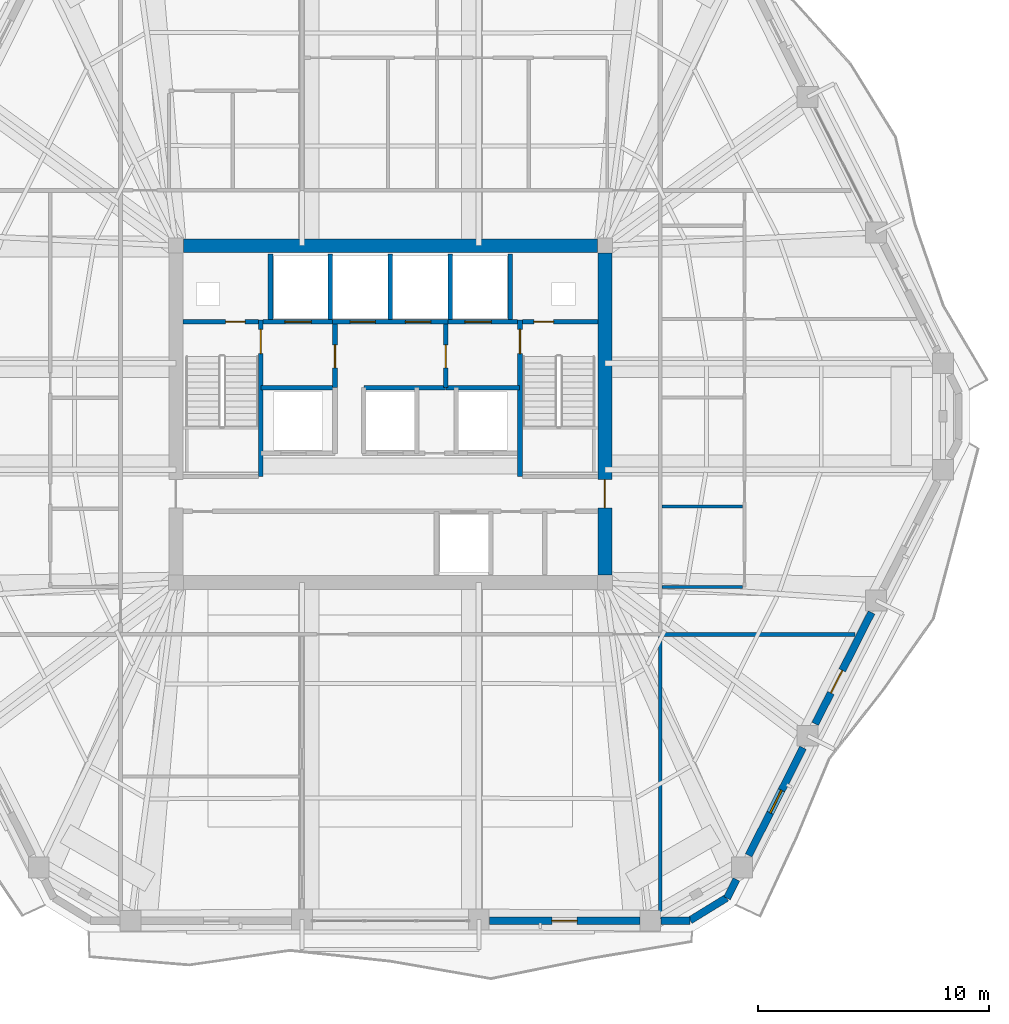
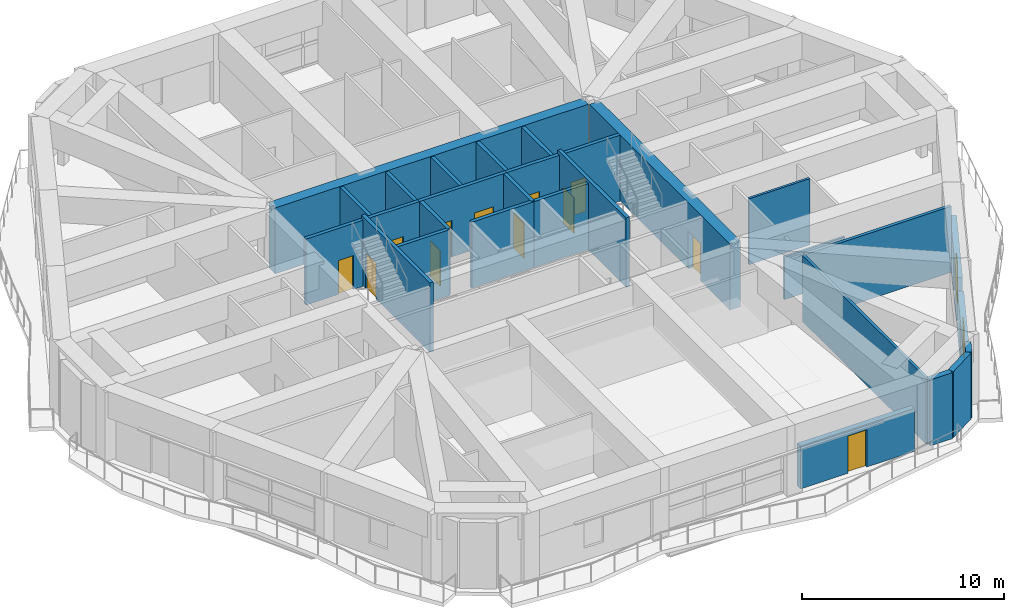
# One storey, part 14 of 20: 29 walls, 13 doors, 1 window, 14 openings.
"""IFC4 building model written with IfcOpenShell, lengths in metres."""

from ifc_helpers import new_model, si_unit, direction, frame, frame_2d, origin, place, context, subcontext, project, spatial, rectangle, extrude, material, layer, layer_set, type_object, element, fill, save


model = new_model("IFC4")

# Units and contexts
model_context = context("Model", 3, precision=1e-05, world=origin(), true_north=direction((0.0, 1.0)))
body_context = subcontext(model_context, "Body", "Model", "MODEL_VIEW")
ifc_project = project(units=[si_unit("LENGTHUNIT", "METRE"), si_unit("AREAUNIT", "SQUARE_METRE"), si_unit("VOLUMEUNIT", "CUBIC_METRE"), si_unit("PLANEANGLEUNIT", "RADIAN"), si_unit("MASSUNIT", "GRAM", prefix="KILO")], contexts=[model_context])

# Site, building, storey
site_placement = place(None, origin())
site = spatial("IfcSite", under=ifc_project, at=site_placement, CompositionType="ELEMENT")
building_placement = place(site_placement, origin())
building = spatial("IfcBuilding", under=site, at=building_placement, Name="Cinnabar Lancet Tower", CompositionType="ELEMENT")
storey_placement = place(building_placement, frame((0.0, 0.0, 167.699951171875)))
storey = spatial("IfcBuildingStorey", under=building, at=storey_placement, Name="L44", CompositionType="ELEMENT", Elevation=167.699951171875)

# Walls
ifc_material_1 = material(Name="Acoustic twin-stud gypsum partition", Category="gypsum")
ifc_layer_1 = layer(ifc_material_1, 0.159912109375)
ifc_layer_set_1 = layer_set([ifc_layer_1], Name="Acoustic twin-stud gypsum partition")
wall_type_1 = type_object("IfcWallType", Name="ARC-WL-CORR-160", PredefinedType="PARTITIONING", material=ifc_layer_set_1)
wall_1_placement = place(storey_placement, frame((44.10009765625, 4.014892578125, 0.0), z_axis=(0.0, 0.0, 1.0), x_axis=(0.0, 1.0, 0.0)))
element("IfcWall", 1, at=wall_1_placement, inside=storey, type_object=wall_type_1, Name="PW-L44-SLWCE", PredefinedType="PARTITIONING", context=body_context, shape_type="SweptSolid", body=[
    extrude(rectangle(XDim=12.25, YDim=0.159912109375, at=frame_2d((6.125, 0.0))), origin(), (0.0, 0.0, 1.0), 4.0),
])
ifc_material_2 = material(Name="Fire-rated twin-frame acoustic drywall", Category="gypsum")
ifc_layer_2 = layer(ifc_material_2, 0.179931640625)
ifc_layer_set_2 = layer_set([ifc_layer_2], Name="Fire-rated twin-frame acoustic drywall")
wall_type_2 = type_object("IfcWallType", Name="ARC-WL-PARTY-180", PredefinedType="PARTITIONING", material=ifc_layer_set_2)
wall_2_placement = place(storey_placement, frame((44.18505859375, 16.35009765625, 0.0), z_axis=(0.0, 0.0, 1.0), x_axis=(1.0, 0.0, 0.0)))
element("IfcWall", 2, at=wall_2_placement, inside=storey, type_object=wall_type_2, Name="PW-L44-ESB", PredefinedType="PARTITIONING", context=body_context, shape_type="SweptSolid", body=[
    extrude(rectangle(XDim=8.364990234375, YDim=0.179931640625, at=frame_2d((4.1826171875, 0.0))), origin(), (0.0, 0.0, 1.0), 4.0),
])

# Wall, opening, door
ifc_material_3 = material(Name="Autoclaved aerated concrete blockwork", Category="masonry")
ifc_layer_3 = layer(ifc_material_3, 0.199951171875)
ifc_layer_set_3 = layer_set([ifc_layer_3], Name="Autoclaved aerated concrete blockwork")
wall_type_3 = type_object("IfcWallType", Name="ARC-WL-SHAFT-200", PredefinedType="PLUMBINGWALL", material=ifc_layer_set_3)
wall_3_placement = place(storey_placement, frame((23.405029296875, 29.89990234375, 0.0), z_axis=(0.0, 0.0, 1.0), x_axis=(1.0, 0.0, 0.0)))
wall_3 = element("IfcWall", 3, at=wall_3_placement, inside=storey, type_object=wall_type_3, Name="CW-NSH-W-L44", PredefinedType="PLUMBINGWALL", context=body_context, shape_type="SweptSolid", body=[
    extrude(rectangle(XDim=3.27001953125, YDim=0.199951171875, at=frame_2d((1.635009765625, 0.0))), origin(), (0.0, 0.0, 1.0), 4.0),
])
opening_1_placement = place(wall_3_placement, frame((1.85009765625, 0.0, 0.0)))
opening_1 = element("IfcOpeningElement", 4, at=opening_1_placement, cuts=wall_3, Name="Opening PD-02", PredefinedType="OPENING", context=body_context, shape_type="SweptSolid", body=[
    extrude(rectangle(XDim=0.85009765625, YDim=2.050048828125, at=frame_2d((0.425048828125, 1.02490234375))), frame((0.0, 0.10986328125, 0.0), z_axis=(0.0, -1.0, 0.0), x_axis=(1.0, 0.0, 0.0)), (0.0, 0.0, 1.0), 0.219970703125),
])
ifc_material_4 = material(Name="Fire-rated steel riser access door", Category="steel")
door_type_1 = type_object("IfcDoorType", Name="ARC-DR-RISER", OperationType="NOTDEFINED", PredefinedType="DOOR", material=ifc_material_4)
door_1_placement = place(opening_1_placement, origin())
door_1 = element("IfcDoor", 5, at=door_1_placement, inside=storey, type_object=door_type_1, Name="L44 West Riser Access Door", OperationType="SINGLE_SWING_LEFT", OverallHeight=2.050048828125, OverallWidth=0.85009765625, PredefinedType="DOOR", context=body_context, shape_type="SweptSolid", body=[
    extrude(rectangle(XDim=0.85009765625, YDim=2.050048828125, at=frame_2d((0.425048828125, 1.02490234375))), frame((0.0, 0.02490234375, 0.0), z_axis=(0.0, -1.0, 0.0), x_axis=(1.0, 0.0, 0.0)), (0.0, 0.0, 1.0), 0.050048828125),
])
fill(opening_1, door_1)

wall_4_placement = place(storey_placement, frame((26.885009765625, 29.89990234375, 0.0), z_axis=(0.0, 0.0, 1.0), x_axis=(1.0, 0.0, 0.0)))
wall_4 = element("IfcWall", 6, at=wall_4_placement, inside=storey, type_object=wall_type_3, Name="CW-FL1-L44", PredefinedType="PLUMBINGWALL", context=body_context, shape_type="SweptSolid", body=[
    extrude(rectangle(XDim=3.014892578125, YDim=0.199951171875, at=frame_2d((1.50732421875, 0.0))), origin(), (0.0, 0.0, 1.0), 4.0),
])
opening_2_placement = place(wall_4_placement, frame((0.93994140625, 0.0, 0.0)))
opening_2 = element("IfcOpeningElement", 7, at=opening_2_placement, cuts=wall_4, Name="Opening LD-02", PredefinedType="OPENING", context=body_context, shape_type="SweptSolid", body=[
    extrude(rectangle(XDim=1.14990234375, YDim=2.199951171875, at=frame_2d((0.574951171875, 1.10009765625))), frame((0.0, 0.10986328125, 0.0), z_axis=(0.0, -1.0, 0.0), x_axis=(1.0, 0.0, 0.0)), (0.0, 0.0, 1.0), 0.219970703125),
])
ifc_material_5 = material(Name="Fire-rated stainless steel firefighting lift landing door", Category="steel")
door_type_2 = type_object("IfcDoorType", Name="ARC-DR-LD-FIRE", OperationType="NOTDEFINED", PredefinedType="DOOR", material=ifc_material_5)
door_2_placement = place(opening_2_placement, origin())
door_2 = element("IfcDoor", 8, at=door_2_placement, inside=storey, type_object=door_type_2, Name="L44 Firefighting Lift FL-1 Landing Door", OperationType="DOUBLE_DOOR_SLIDING", OverallHeight=2.199951171875, OverallWidth=1.14990234375, PredefinedType="DOOR", context=body_context, shape_type="SweptSolid", body=[
    extrude(rectangle(XDim=1.14990234375, YDim=2.199951171875, at=frame_2d((0.574951171875, 1.10009765625))), frame((0.0, 0.02490234375, 0.0), z_axis=(0.0, -1.0, 0.0), x_axis=(1.0, 0.0, 0.0)), (0.0, 0.0, 1.0), 0.050048828125),
])
fill(opening_2, door_2)

# Wall, openings, doors
wall_5_placement = place(storey_placement, frame((29.89990234375, 29.89990234375, 0.0), z_axis=(0.0, 0.0, 1.0), x_axis=(1.0, 0.0, 0.0)))
wall_5 = element("IfcWall", 9, at=wall_5_placement, inside=storey, type_object=wall_type_3, Name="CW-PL78-L44", PredefinedType="PLUMBINGWALL", context=body_context, shape_type="SweptSolid", body=[
    extrude(rectangle(XDim=5.0, YDim=0.199951171875, at=frame_2d((2.5, 0.0))), origin(), (0.0, 0.0, 1.0), 4.0),
])
opening_3_placement = place(wall_5_placement, frame((0.75, 0.0, 0.0)))
opening_3 = element("IfcOpeningElement", 10, at=opening_3_placement, cuts=wall_5, Name="Opening LD-01", PredefinedType="OPENING", context=body_context, shape_type="SweptSolid", body=[
    extrude(rectangle(XDim=1.10009765625, YDim=2.199951171875, at=frame_2d((0.550048828125, 1.10009765625))), frame((0.0, 0.10986328125, 0.0), z_axis=(0.0, -1.0, 0.0), x_axis=(1.0, 0.0, 0.0)), (0.0, 0.0, 1.0), 0.219970703125),
])
opening_4_placement = place(wall_5_placement, frame((3.14990234375, 0.0, 0.0)))
opening_4 = element("IfcOpeningElement", 11, at=opening_4_placement, cuts=wall_5, Name="Opening LD-01", PredefinedType="OPENING", context=body_context, shape_type="SweptSolid", body=[
    extrude(rectangle(XDim=1.10009765625, YDim=2.199951171875, at=frame_2d((0.550048828125, 1.10009765625))), frame((0.0, 0.10986328125, 0.0), z_axis=(0.0, -1.0, 0.0), x_axis=(1.0, 0.0, 0.0)), (0.0, 0.0, 1.0), 0.219970703125),
])
ifc_material_6 = material(Name="Brushed stainless steel sliding lift door", Category="steel")
door_type_3 = type_object("IfcDoorType", Name="ARC-DR-LD-PASS", OperationType="NOTDEFINED", PredefinedType="DOOR", material=ifc_material_6)
door_3_placement = place(opening_3_placement, origin())
door_3 = element("IfcDoor", 12, at=door_3_placement, inside=storey, type_object=door_type_3, Name="L44 Lift PL-7 Landing Door", OperationType="DOUBLE_DOOR_SLIDING", OverallHeight=2.199951171875, OverallWidth=1.10009765625, PredefinedType="DOOR", context=body_context, shape_type="SweptSolid", body=[
    extrude(rectangle(XDim=1.10009765625, YDim=2.199951171875, at=frame_2d((0.550048828125, 1.10009765625))), frame((0.0, 0.02490234375, 0.0), z_axis=(0.0, -1.0, 0.0), x_axis=(1.0, 0.0, 0.0)), (0.0, 0.0, 1.0), 0.050048828125),
])
fill(opening_3, door_3)
door_4_placement = place(opening_4_placement, origin())
door_4 = element("IfcDoor", 13, at=door_4_placement, inside=storey, type_object=door_type_3, Name="L44 Lift PL-8 Landing Door", OperationType="DOUBLE_DOOR_SLIDING", OverallHeight=2.199951171875, OverallWidth=1.10009765625, PredefinedType="DOOR", context=body_context, shape_type="SweptSolid", body=[
    extrude(rectangle(XDim=1.10009765625, YDim=2.199951171875, at=frame_2d((0.550048828125, 1.10009765625))), frame((0.0, 0.02490234375, 0.0), z_axis=(0.0, -1.0, 0.0), x_axis=(1.0, 0.0, 0.0)), (0.0, 0.0, 1.0), 0.050048828125),
])
fill(opening_4, door_4)

# Wall, opening, door
wall_6_placement = place(storey_placement, frame((34.89990234375, 29.89990234375, 0.0), z_axis=(0.0, 0.0, 1.0), x_axis=(1.0, 0.0, 0.0)))
wall_6 = element("IfcWall", 14, at=wall_6_placement, inside=storey, type_object=wall_type_3, Name="CW-FL2-L44", PredefinedType="PLUMBINGWALL", context=body_context, shape_type="SweptSolid", body=[
    extrude(rectangle(XDim=3.01513671875, YDim=0.199951171875, at=frame_2d((1.507568359375, 0.0))), origin(), (0.0, 0.0, 1.0), 4.0),
])
opening_5_placement = place(wall_6_placement, frame((0.72509765625, 0.0, 0.0)))
opening_5 = element("IfcOpeningElement", 15, at=opening_5_placement, cuts=wall_6, Name="Opening LD-02", PredefinedType="OPENING", context=body_context, shape_type="SweptSolid", body=[
    extrude(rectangle(XDim=1.14990234375, YDim=2.199951171875, at=frame_2d((0.574951171875, 1.10009765625))), frame((0.0, 0.10986328125, 0.0), z_axis=(0.0, -1.0, 0.0), x_axis=(1.0, 0.0, 0.0)), (0.0, 0.0, 1.0), 0.219970703125),
])
door_5_placement = place(opening_5_placement, origin())
door_5 = element("IfcDoor", 16, at=door_5_placement, inside=storey, type_object=door_type_2, Name="L44 Firefighting Lift FL-2 Landing Door", OperationType="DOUBLE_DOOR_SLIDING", OverallHeight=2.199951171875, OverallWidth=1.14990234375, PredefinedType="DOOR", context=body_context, shape_type="SweptSolid", body=[
    extrude(rectangle(XDim=1.14990234375, YDim=2.199951171875, at=frame_2d((0.574951171875, 1.10009765625))), frame((0.0, 0.02490234375, 0.0), z_axis=(0.0, -1.0, 0.0), x_axis=(1.0, 0.0, 0.0)), (0.0, 0.0, 1.0), 0.050048828125),
])
fill(opening_5, door_5)

wall_7_placement = place(storey_placement, frame((38.125, 29.89990234375, 0.0), z_axis=(0.0, 0.0, 1.0), x_axis=(1.0, 0.0, 0.0)))
wall_7 = element("IfcWall", 17, at=wall_7_placement, inside=storey, type_object=wall_type_3, Name="CW-NSH-E-L44", PredefinedType="PLUMBINGWALL", context=body_context, shape_type="SweptSolid", body=[
    extrude(rectangle(XDim=3.27001953125, YDim=0.199951171875, at=frame_2d((1.635009765625, 0.0))), origin(), (0.0, 0.0, 1.0), 4.0),
])
opening_6_placement = place(wall_7_placement, frame((0.5, 0.0, 0.0)))
opening_6 = element("IfcOpeningElement", 18, at=opening_6_placement, cuts=wall_7, Name="Opening PD-02", PredefinedType="OPENING", context=body_context, shape_type="SweptSolid", body=[
    extrude(rectangle(XDim=0.85009765625, YDim=2.050048828125, at=frame_2d((0.425048828125, 1.02490234375))), frame((0.0, 0.10986328125, 0.0), z_axis=(0.0, -1.0, 0.0), x_axis=(1.0, 0.0, 0.0)), (0.0, 0.0, 1.0), 0.219970703125),
])
door_6_placement = place(opening_6_placement, origin())
door_6 = element("IfcDoor", 19, at=door_6_placement, inside=storey, type_object=door_type_1, Name="L44 East Riser Access Door", OperationType="SINGLE_SWING_RIGHT", OverallHeight=2.050048828125, OverallWidth=0.85009765625, PredefinedType="DOOR", context=body_context, shape_type="SweptSolid", body=[
    extrude(rectangle(XDim=0.85009765625, YDim=2.050048828125, at=frame_2d((0.425048828125, 1.02490234375))), frame((0.0, 0.02490234375, 0.0), z_axis=(0.0, -1.0, 0.0), x_axis=(1.0, 0.0, 0.0)), (0.0, 0.0, 1.0), 0.050048828125),
])
fill(opening_6, door_6)

# Walls
for number, where, z_axis, x_axis, name in (
    (20, (27.199951171875, 30.0, 0.0), (0.0, 0.0, 1.0), (0.0, 1.0, 0.0), "CW-NSH-D1-L44"),
    (21, (29.800048828125, 30.0, 0.0), (0.0, 0.0, 1.0), (0.0, 1.0, 0.0), "CW-NSH-D2-L44"),
    (22, (32.39990234375, 30.0, 0.0), (0.0, 0.0, 1.0), (0.0, 1.0, 0.0), "CW-NSH-D3-L44"),
    (23, (35.0, 30.0, 0.0), (0.0, 0.0, 1.0), (0.0, 1.0, 0.0), "CW-NSH-D4-L44"),
    (24, (37.60009765625, 30.0, 0.0), (0.0, 0.0, 1.0), (0.0, 1.0, 0.0), "CW-NSH-D5-L44"),
):
    element("IfcWall", number, at=place(storey_placement, frame(where, z_axis=z_axis, x_axis=x_axis)), inside=storey, type_object=wall_type_3, Name=name, PredefinedType="PLUMBINGWALL", context=body_context, shape_type="SweptSolid", body=[
        extrude(rectangle(XDim=2.85009765625, YDim=0.199951171875, at=frame_2d((1.425048828125, 0.0))), origin(), (0.0, 0.0, 1.0), 4.0),
    ])

# Wall, opening, door
wall_8_placement = place(storey_placement, frame((30.0, 27.050048828125, 0.0), z_axis=(0.0, 0.0, 1.0), x_axis=(0.0, 1.0, 0.0)))
wall_8 = element("IfcWall", 25, at=wall_8_placement, inside=storey, type_object=wall_type_3, Name="CW-FF1E-L44", PredefinedType="PLUMBINGWALL", context=body_context, shape_type="SweptSolid", body=[
    extrude(rectangle(XDim=2.75, YDim=0.199951171875, at=frame_2d((1.375, 0.0))), origin(), (0.0, 0.0, 1.0), 4.0),
])
opening_7_placement = place(wall_8_placement, frame((0.85009765625, 0.0, 0.0)))
opening_7 = element("IfcOpeningElement", 26, at=opening_7_placement, cuts=wall_8, Name="Opening FD-01", PredefinedType="OPENING", context=body_context, shape_type="SweptSolid", body=[
    extrude(rectangle(XDim=1.0, YDim=2.14990234375, at=frame_2d((0.5, 1.074951171875))), frame((0.0, 0.10986328125, 0.0), z_axis=(0.0, -1.0, 0.0), x_axis=(1.0, 0.0, 0.0)), (0.0, 0.0, 1.0), 0.219970703125),
])
ifc_material_7 = material(Name="Fire-rated timber-core lobby door", Category="wood")
door_type_4 = type_object("IfcDoorType", Name="ARC-DR-FFAL", OperationType="NOTDEFINED", PredefinedType="DOOR", material=ifc_material_7)
door_7_placement = place(opening_7_placement, origin())
door_7 = element("IfcDoor", 27, at=door_7_placement, inside=storey, type_object=door_type_4, Name="L44 FFAL-1 Lobby Fire Door", OperationType="SINGLE_SWING_RIGHT", OverallHeight=2.14990234375, OverallWidth=1.0, PredefinedType="DOOR", context=body_context, shape_type="SweptSolid", body=[
    extrude(rectangle(XDim=1.0, YDim=2.14990234375, at=frame_2d((0.5, 1.074951171875))), frame((0.0, 0.02490234375, 0.0), z_axis=(0.0, -1.0, 0.0), x_axis=(1.0, 0.0, 0.0)), (0.0, 0.0, 1.0), 0.050048828125),
])
fill(opening_7, door_7)

# Wall
wall_9_placement = place(storey_placement, frame((26.800048828125, 27.050048828125, 0.0), z_axis=(0.0, 0.0, 1.0), x_axis=(1.0, 0.0, 0.0)))
element("IfcWall", 28, at=wall_9_placement, inside=storey, type_object=wall_type_3, Name="CW-FF1S-L44", PredefinedType="PLUMBINGWALL", context=body_context, shape_type="SweptSolid", body=[
    extrude(rectangle(XDim=3.199951171875, YDim=0.199951171875, at=frame_2d((1.60009765625, 0.0))), origin(), (0.0, 0.0, 1.0), 4.0),
])

# Wall, opening, door
wall_10_placement = place(storey_placement, frame((34.800048828125, 27.050048828125, 0.0), z_axis=(0.0, 0.0, 1.0), x_axis=(0.0, 1.0, 0.0)))
wall_10 = element("IfcWall", 29, at=wall_10_placement, inside=storey, type_object=wall_type_3, Name="CW-FF2W-L44", PredefinedType="PLUMBINGWALL", context=body_context, shape_type="SweptSolid", body=[
    extrude(rectangle(XDim=2.75, YDim=0.199951171875, at=frame_2d((1.375, 0.0))), origin(), (0.0, 0.0, 1.0), 4.0),
])
opening_8_placement = place(wall_10_placement, frame((0.85009765625, 0.0, 0.0)))
opening_8 = element("IfcOpeningElement", 30, at=opening_8_placement, cuts=wall_10, Name="Opening FD-01", PredefinedType="OPENING", context=body_context, shape_type="SweptSolid", body=[
    extrude(rectangle(XDim=1.0, YDim=2.14990234375, at=frame_2d((0.5, 1.074951171875))), frame((0.0, 0.10986328125, 0.0), z_axis=(0.0, -1.0, 0.0), x_axis=(1.0, 0.0, 0.0)), (0.0, 0.0, 1.0), 0.219970703125),
])
door_8_placement = place(opening_8_placement, origin())
door_8 = element("IfcDoor", 31, at=door_8_placement, inside=storey, type_object=door_type_4, Name="L44 FFAL-2 Lobby Fire Door", OperationType="SINGLE_SWING_LEFT", OverallHeight=2.14990234375, OverallWidth=1.0, PredefinedType="DOOR", context=body_context, shape_type="SweptSolid", body=[
    extrude(rectangle(XDim=1.0, YDim=2.14990234375, at=frame_2d((0.5, 1.074951171875))), frame((0.0, 0.02490234375, 0.0), z_axis=(0.0, -1.0, 0.0), x_axis=(1.0, 0.0, 0.0)), (0.0, 0.0, 1.0), 0.050048828125),
])
fill(opening_8, door_8)

# Walls
wall_11_placement = place(storey_placement, frame((34.800048828125, 27.050048828125, 0.0), z_axis=(0.0, 0.0, 1.0), x_axis=(1.0, 0.0, 0.0)))
element("IfcWall", 32, at=wall_11_placement, inside=storey, type_object=wall_type_3, Name="CW-FF2S-L44", PredefinedType="PLUMBINGWALL", context=body_context, shape_type="SweptSolid", body=[
    extrude(rectangle(XDim=3.199951171875, YDim=0.199951171875, at=frame_2d((1.60009765625, 0.0))), origin(), (0.0, 0.0, 1.0), 4.0),
])
wall_12_placement = place(storey_placement, frame((31.25, 27.050048828125, 0.0), z_axis=(0.0, 0.0, 1.0), x_axis=(1.0, 0.0, 0.0)))
element("IfcWall", 33, at=wall_12_placement, inside=storey, type_object=wall_type_3, Name="CW-PL96N-L44", PredefinedType="PLUMBINGWALL", context=body_context, shape_type="SweptSolid", body=[
    extrude(rectangle(XDim=3.550048828125, YDim=0.199951171875, at=frame_2d((1.77490234375, 0.0))), origin(), (0.0, 0.0, 1.0), 4.0),
])
ifc_material_8 = material(Name="Gypsum plasterboard stud partition", Category="gypsum")
ifc_layer_4 = layer(ifc_material_8, 0.125)
ifc_layer_set_4 = layer_set([ifc_layer_4], Name="Gypsum plasterboard stud partition")
wall_type_4 = type_object("IfcWallType", Name="ARC-WL-UNIT-125", PredefinedType="PARTITIONING", material=ifc_layer_set_4)
wall_13_placement = place(storey_placement, frame((44.18505859375, 18.39990234375, 0.0), z_axis=(0.0, 0.0, 1.0), x_axis=(1.0, 0.0, 0.0)))
element("IfcWall", 34, at=wall_13_placement, inside=storey, type_object=wall_type_4, Name="UW-L44-E01-FOYN", PredefinedType="PARTITIONING", context=body_context, shape_type="SweptSolid", body=[
    extrude(rectangle(XDim=3.47998046875, YDim=0.125, at=frame_2d((1.739990234375, 0.0))), origin(), (0.0, 0.0, 1.0), 2.590087890625),
])
ifc_material_9 = material(Name="Moisture-resistant cement-board plumbing wall", Category="masonry")
ifc_layer_5 = layer(ifc_material_9, 0.139892578125)
ifc_layer_set_5 = layer_set([ifc_layer_5], Name="Moisture-resistant cement-board plumbing wall")
wall_type_5 = type_object("IfcWallType", Name="ARC-WL-WET-140", PredefinedType="PLUMBINGWALL", material=ifc_layer_set_5)
wall_14_placement = place(storey_placement, frame((44.18505859375, 21.89990234375, 0.0), z_axis=(0.0, 0.0, 1.0), x_axis=(1.0, 0.0, 0.0)))
element("IfcWall", 35, at=wall_14_placement, inside=storey, type_object=wall_type_5, Name="UW-L44-E01-KDV", PredefinedType="PLUMBINGWALL", context=body_context, shape_type="SweptSolid", body=[
    extrude(rectangle(XDim=3.47998046875, YDim=0.139892578125, at=frame_2d((1.739990234375, 0.0))), origin(), (0.0, 0.0, 1.0), 4.0),
])
ifc_material_10 = material(Name="Warm buff clay brick", Category="masonry")
ifc_layer_6 = layer(ifc_material_10, 0.320068359375)
ifc_layer_set_6 = layer_set([ifc_layer_6], Name="Warm buff clay brick")
wall_type_6 = type_object("IfcWallType", Name="ENV-WL-BRK-BUF-320", PredefinedType="STANDARD", material=ifc_layer_set_6)
wall_15_placement = place(storey_placement, frame((45.39501953125, 3.9541015625, 0.0), z_axis=(0.0, 0.0, 1.0), x_axis=(0.85190713782, 0.52369287615, 0.0)))
element("IfcWall", 36, at=wall_15_placement, inside=storey, type_object=wall_type_6, Name="L44 Chamfered Corner Brick Pier 2.1", PredefinedType="STANDARD", context=body_context, shape_type="SweptSolid", body=[
    extrude(rectangle(XDim=1.852294921875, YDim=0.320068359375, at=frame_2d((0.92626953125, 0.0))), origin(), (0.0, 0.0, 1.0), 4.0),
])

# Wall, opening, door
wall_16_placement = place(storey_placement, frame((36.68603515625, 3.929931640625, 0.0), z_axis=(0.0, 0.0, 1.0), x_axis=(1.0, 0.0, 0.0)))
wall_16 = element("IfcWall", 37, at=wall_16_placement, inside=storey, type_object=wall_type_6, Name="L44 Face 1 Masonry Bay Wall 4", PredefinedType="STANDARD", context=body_context, shape_type="SweptSolid", body=[
    extrude(rectangle(XDim=6.529052734375, YDim=0.320068359375, at=frame_2d((3.2646484375, 0.0))), origin(), (0.0, 0.0, 1.0), 2.590087890625),
])
opening_9_placement = place(wall_16_placement, frame((2.715087890625, 0.0, 0.0)))
opening_9 = element("IfcOpeningElement", 38, at=opening_9_placement, cuts=wall_16, Name="Opening TD-01", PredefinedType="OPENING", context=body_context, shape_type="SweptSolid", body=[
    extrude(rectangle(XDim=1.10009765625, YDim=2.25, at=frame_2d((0.550048828125, 1.125))), frame((0.0, 0.169921875, 0.0), z_axis=(0.0, -1.0, 0.0), x_axis=(1.0, 0.0, 0.0)), (0.0, 0.0, 1.0), 0.340087890625),
])
ifc_material_11 = material(Name="Thermally broken low-E glazed balcony terrace door", Category="wood")
door_type_5 = type_object("IfcDoorType", Name="ARC-DR-BALC", OperationType="NOTDEFINED", PredefinedType="DOOR", material=ifc_material_11)
door_9_placement = place(opening_9_placement, origin())
door_9 = element("IfcDoor", 39, at=door_9_placement, inside=storey, type_object=door_type_5, Name="L44 Face 1 Glazed Terrace Door", OperationType="SINGLE_SWING_LEFT", OverallHeight=2.25, OverallWidth=1.10009765625, PredefinedType="DOOR", context=body_context, shape_type="SweptSolid", body=[
    extrude(rectangle(XDim=1.10009765625, YDim=2.25, at=frame_2d((0.550048828125, 1.125))), frame((0.0, 0.02490234375, 0.0), z_axis=(0.0, -1.0, 0.0), x_axis=(1.0, 0.0, 0.0)), (0.0, 0.0, 1.0), 0.050048828125),
])
fill(opening_9, door_9)

# Walls
wall_17_placement = place(storey_placement, frame((44.123046875, 3.929931640625, 0.0), z_axis=(0.0, 0.0, 1.0), x_axis=(1.0, 0.0, 0.0)))
element("IfcWall", 40, at=wall_17_placement, inside=storey, type_object=wall_type_6, Name="L44 Face 1 Masonry Bay Wall 5", PredefinedType="STANDARD", context=body_context, shape_type="SweptSolid", body=[
    extrude(rectangle(XDim=1.27685546875, YDim=0.320068359375, at=frame_2d((0.638427734375, 0.0))), origin(), (0.0, 0.0, 1.0), 4.0),
])
wall_18_placement = place(storey_placement, frame((46.991943359375, 4.908935546875, 0.0), z_axis=(0.0, 0.0, 1.0), x_axis=(0.451292054135, 0.892376311807, 0.0)))
element("IfcWall", 41, at=wall_18_placement, inside=storey, type_object=wall_type_6, Name="L44 Face 2 Masonry Bay Wall 1", PredefinedType="STANDARD", context=body_context, shape_type="SweptSolid", body=[
    extrude(rectangle(XDim=0.908935546875, YDim=0.320068359375, at=frame_2d((0.45458984375, 0.0))), origin(), (0.0, 0.0, 1.0), 4.0),
])

# Wall, opening, window
wall_19_placement = place(storey_placement, frame((47.93505859375, 6.77197265625, 0.0), z_axis=(0.0, 0.0, 1.0), x_axis=(0.451418764337, 0.892312220697, 0.0)))
wall_19 = element("IfcWall", 42, at=wall_19_placement, inside=storey, type_object=wall_type_6, Name="L44 Face 2 Masonry Bay Wall 2", PredefinedType="STANDARD", context=body_context, shape_type="SweptSolid", body=[
    extrude(rectangle(XDim=5.218994140625, YDim=0.320068359375, at=frame_2d((2.609375, 0.0))), origin(), (0.0, 0.0, 1.0), 2.590087890625),
])
opening_10_placement = place(wall_19_placement, frame((2.06005859375, 0.0, 0.75)))
opening_10 = element("IfcOpeningElement", 43, at=opening_10_placement, cuts=wall_19, Name="Opening WN-04", PredefinedType="OPENING", context=body_context, shape_type="SweptSolid", body=[
    extrude(rectangle(XDim=1.10009765625, YDim=1.68994140625, at=frame_2d((0.550048828125, 0.844970703125))), frame((0.0, 0.169921875, 0.0), z_axis=(0.0, -1.0, 0.0), x_axis=(1.0, 0.0, 0.0)), (0.0, 0.0, 1.0), 0.340087890625),
])
ifc_material_12 = material(Name="Thermally broken bronze-anodized aluminium tall lancet window", Category="aluminium")
window_type = type_object("IfcWindowType", Name="ENV-WN-LANCET-1100", PartitioningType="SINGLE_PANEL", PredefinedType="WINDOW", material=ifc_material_12)
window_placement = place(opening_10_placement, origin())
window = element("IfcWindow", 44, at=window_placement, inside=storey, type_object=window_type, Name="L44 Face 2 Gothic Lancet Window 2", OverallHeight=1.68994140625, OverallWidth=1.10009765625, PartitioningType="SINGLE_PANEL", PredefinedType="WINDOW", context=body_context, shape_type="SweptSolid", body=[
    extrude(rectangle(XDim=1.10009765625, YDim=1.68994140625, at=frame_2d((0.550048828125, 0.844970703125))), frame((0.0, 0.030029296875, 0.0), z_axis=(0.0, -1.0, 0.0), x_axis=(1.0, 0.0, 0.0)), (0.0, 0.0, 1.0), 0.06005859375),
])
fill(opening_10, window)

# Wall, opening, door
wall_20_placement = place(storey_placement, frame((50.818115234375, 12.470947265625, 0.0), z_axis=(0.0, 0.0, 1.0), x_axis=(0.451396817628, 0.892323323149, 0.0)))
wall_20 = element("IfcWall", 45, at=wall_20_placement, inside=storey, type_object=wall_type_6, Name="L44 Face 2 Masonry Bay Wall 3", PredefinedType="STANDARD", context=body_context, shape_type="SweptSolid", body=[
    extrude(rectangle(XDim=5.40966796875, YDim=0.320068359375, at=frame_2d((2.704833984375, 0.0))), origin(), (0.0, 0.0, 1.0), 2.590087890625),
])
opening_11_placement = place(wall_20_placement, frame((1.5009765625, 0.0, 0.0)))
opening_11 = element("IfcOpeningElement", 46, at=opening_11_placement, cuts=wall_20, Name="Opening TD-01", PredefinedType="OPENING", context=body_context, shape_type="SweptSolid", body=[
    extrude(rectangle(XDim=1.10009765625, YDim=2.25, at=frame_2d((0.550048828125, 1.125))), frame((0.0, 0.169921875, 0.0), z_axis=(0.0, -1.0, 0.0), x_axis=(1.0, 0.0, 0.0)), (0.0, 0.0, 1.0), 0.340087890625),
])
door_10_placement = place(opening_11_placement, origin())
door_10 = element("IfcDoor", 47, at=door_10_placement, inside=storey, type_object=door_type_5, Name="L44 Face 2 Glazed Terrace Door", OperationType="SINGLE_SWING_RIGHT", OverallHeight=2.25, OverallWidth=1.10009765625, PredefinedType="DOOR", context=body_context, shape_type="SweptSolid", body=[
    extrude(rectangle(XDim=1.10009765625, YDim=2.25, at=frame_2d((0.550048828125, 1.125))), frame((0.0, 0.02490234375, 0.0), z_axis=(0.0, -1.0, 0.0), x_axis=(1.0, 0.0, 0.0)), (0.0, 0.0, 1.0), 0.050048828125),
])
fill(opening_11, door_10)

# Wall
ifc_material_13 = material(Name="Concrete C60/75", Category="concrete")
ifc_layer_7 = layer(ifc_material_13, 0.60009765625)
ifc_layer_set_7 = layer_set([ifc_layer_7], Name="Concrete C60/75")
wall_type_7 = type_object("IfcWallType", Name="STR-WL-CORE-600", PredefinedType="SHEAR", material=ifc_layer_set_7)
wall_21_placement = place(storey_placement, frame((23.425048828125, 33.199951171875, 0.0), z_axis=(0.0, 0.0, 1.0), x_axis=(1.0, 0.0, 0.0)))
element("IfcWall", 48, at=wall_21_placement, inside=storey, type_object=wall_type_7, Name="L44 Core Shear Wall N", PredefinedType="SHEAR", context=body_context, shape_type="SweptSolid", body=[
    extrude(rectangle(XDim=17.949951171875, YDim=0.60009765625, at=frame_2d((8.97509765625, 0.0))), origin(), (0.0, 0.0, 1.0), 4.0),
])

# Wall, opening, door
wall_22_placement = place(storey_placement, frame((41.699951171875, 18.925048828125, 0.0), z_axis=(0.0, 0.0, 1.0), x_axis=(0.0, 1.0, 0.0)))
wall_22 = element("IfcWall", 49, at=wall_22_placement, inside=storey, type_object=wall_type_7, Name="L44 Core Shear Wall E", PredefinedType="SHEAR", context=body_context, shape_type="SweptSolid", body=[
    extrude(rectangle(XDim=13.949951171875, YDim=0.60009765625, at=frame_2d((6.97509765625, 0.0))), origin(), (0.0, 0.0, 1.0), 4.0),
])
opening_12_placement = place(wall_22_placement, frame((2.9150390625, 0.0, 0.0)))
opening_12 = element("IfcOpeningElement", 50, at=opening_12_placement, cuts=wall_22, Name="Opening FD-02", PredefinedType="OPENING", context=body_context, shape_type="SweptSolid", body=[
    extrude(rectangle(XDim=1.219970703125, YDim=2.25, at=frame_2d((0.60986328125, 1.125))), frame((0.0, 0.31005859375, 0.0), z_axis=(0.0, -1.0, 0.0), x_axis=(1.0, 0.0, 0.0)), (0.0, 0.0, 1.0), 0.6201171875),
])
ifc_material_14 = material(Name="Fire-rated double-vision core portal door", Category="wood")
door_type_6 = type_object("IfcDoorType", Name="ARC-DR-CPORT", OperationType="NOTDEFINED", PredefinedType="DOOR", material=ifc_material_14)
door_11_placement = place(opening_12_placement, origin())
door_11 = element("IfcDoor", 51, at=door_11_placement, inside=storey, type_object=door_type_6, Name="L44 East Core Lobby Fire Door", OperationType="SINGLE_SWING_LEFT", OverallHeight=2.25, OverallWidth=1.219970703125, PredefinedType="DOOR", context=body_context, shape_type="SweptSolid", body=[
    extrude(rectangle(XDim=1.219970703125, YDim=2.25, at=frame_2d((0.60986328125, 1.125))), frame((0.0, 0.02490234375, 0.0), z_axis=(0.0, -1.0, 0.0), x_axis=(1.0, 0.0, 0.0)), (0.0, 0.0, 1.0), 0.050048828125),
])
fill(opening_12, door_11)

ifc_material_15 = material(Name="Concrete C50/60", Category="concrete")
ifc_layer_8 = layer(ifc_material_15, 0.199951171875)
ifc_layer_set_8 = layer_set([ifc_layer_8], Name="Concrete C50/60")
wall_type_8 = type_object("IfcWallType", Name="STR-WL-STAIR-200", PredefinedType="SHEAR", material=ifc_layer_set_8)
wall_23_placement = place(storey_placement, frame((26.780029296875, 23.199951171875, 0.0), z_axis=(0.0, 0.0, 1.0), x_axis=(0.0, 1.0, 0.0)))
wall_23 = element("IfcWall", 52, at=wall_23_placement, inside=storey, type_object=wall_type_8, Name="L44 Stair ST-1 Structural Enclosure Wall", PredefinedType="SHEAR", context=body_context, shape_type="SweptSolid", body=[
    extrude(rectangle(XDim=6.780029296875, YDim=0.199951171875, at=frame_2d((3.39013671875, 0.0))), origin(), (0.0, 0.0, 1.0), 4.199951171875),
])
opening_13_placement = place(wall_23_placement, frame((5.320068359375, 0.0, 0.0)))
opening_13 = element("IfcOpeningElement", 53, at=opening_13_placement, cuts=wall_23, Name="Opening SD-01", PredefinedType="OPENING", context=body_context, shape_type="SweptSolid", body=[
    extrude(rectangle(XDim=1.050048828125, YDim=2.14990234375, at=frame_2d((0.52490234375, 1.074951171875))), frame((0.0, 0.10986328125, 0.0), z_axis=(0.0, -1.0, 0.0), x_axis=(1.0, 0.0, 0.0)), (0.0, 0.0, 1.0), 0.219970703125),
])
ifc_material_16 = material(Name="Fire-rated steel stair exit door", Category="steel")
door_type_7 = type_object("IfcDoorType", Name="ARC-DR-STAIR", OperationType="NOTDEFINED", PredefinedType="DOOR", material=ifc_material_16)
door_12_placement = place(opening_13_placement, origin())
door_12 = element("IfcDoor", 54, at=door_12_placement, inside=storey, type_object=door_type_7, Name="L44 Stair ST-1 Fire Door", OperationType="SINGLE_SWING_LEFT", OverallHeight=2.14990234375, OverallWidth=1.050048828125, PredefinedType="DOOR", context=body_context, shape_type="SweptSolid", body=[
    extrude(rectangle(XDim=1.050048828125, YDim=2.14990234375, at=frame_2d((0.52490234375, 1.074951171875))), frame((0.0, 0.02490234375, 0.0), z_axis=(0.0, -1.0, 0.0), x_axis=(1.0, 0.0, 0.0)), (0.0, 0.0, 1.0), 0.050048828125),
])
fill(opening_13, door_12)

wall_24_placement = place(storey_placement, frame((38.02001953125, 23.199951171875, 0.0), z_axis=(0.0, 0.0, 1.0), x_axis=(0.0, 1.0, 0.0)))
wall_24 = element("IfcWall", 55, at=wall_24_placement, inside=storey, type_object=wall_type_8, Name="L44 Stair ST-2 Structural Enclosure Wall", PredefinedType="SHEAR", context=body_context, shape_type="SweptSolid", body=[
    extrude(rectangle(XDim=6.780029296875, YDim=0.199951171875, at=frame_2d((3.39013671875, 0.0))), origin(), (0.0, 0.0, 1.0), 4.199951171875),
])
opening_14_placement = place(wall_24_placement, frame((5.320068359375, 0.0, 0.0)))
opening_14 = element("IfcOpeningElement", 56, at=opening_14_placement, cuts=wall_24, Name="Opening SD-01", PredefinedType="OPENING", context=body_context, shape_type="SweptSolid", body=[
    extrude(rectangle(XDim=1.050048828125, YDim=2.14990234375, at=frame_2d((0.52490234375, 1.074951171875))), frame((0.0, 0.10986328125, 0.0), z_axis=(0.0, -1.0, 0.0), x_axis=(1.0, 0.0, 0.0)), (0.0, 0.0, 1.0), 0.219970703125),
])
door_13_placement = place(opening_14_placement, origin())
door_13 = element("IfcDoor", 57, at=door_13_placement, inside=storey, type_object=door_type_7, Name="L44 Stair ST-2 Fire Door", OperationType="SINGLE_SWING_RIGHT", OverallHeight=2.14990234375, OverallWidth=1.050048828125, PredefinedType="DOOR", context=body_context, shape_type="SweptSolid", body=[
    extrude(rectangle(XDim=1.050048828125, YDim=2.14990234375, at=frame_2d((0.52490234375, 1.074951171875))), frame((0.0, 0.02490234375, 0.0), z_axis=(0.0, -1.0, 0.0), x_axis=(1.0, 0.0, 0.0)), (0.0, 0.0, 1.0), 0.050048828125),
])
fill(opening_14, door_13)

save(model, "model.ifc")
